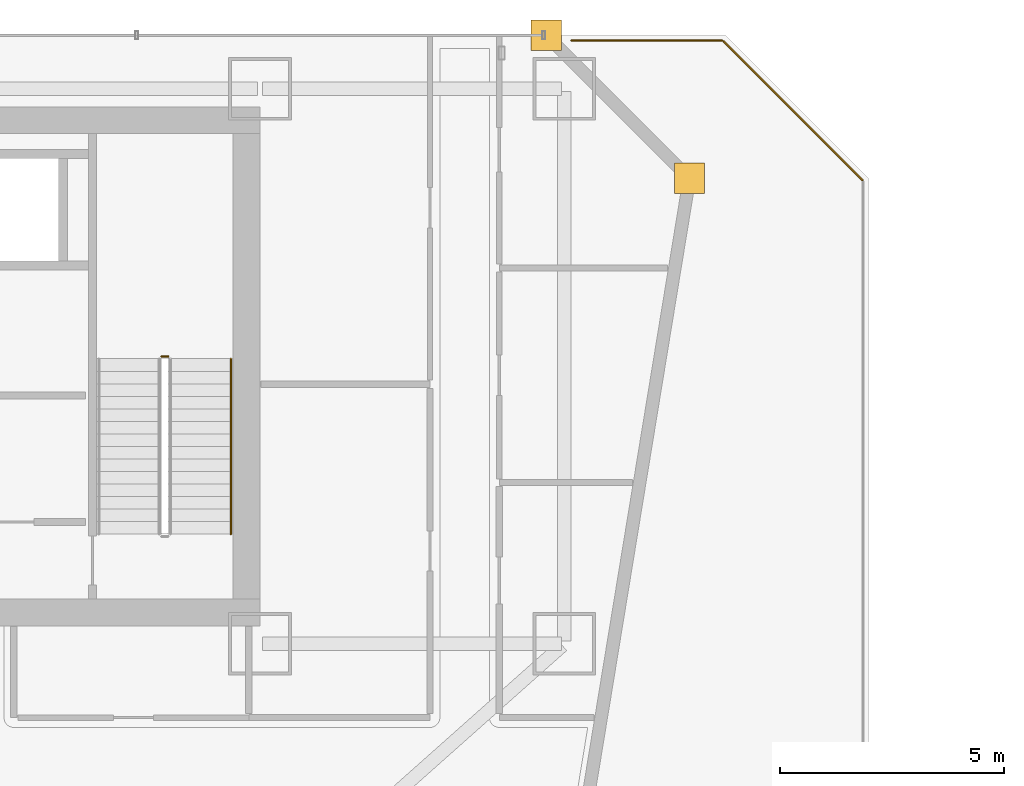
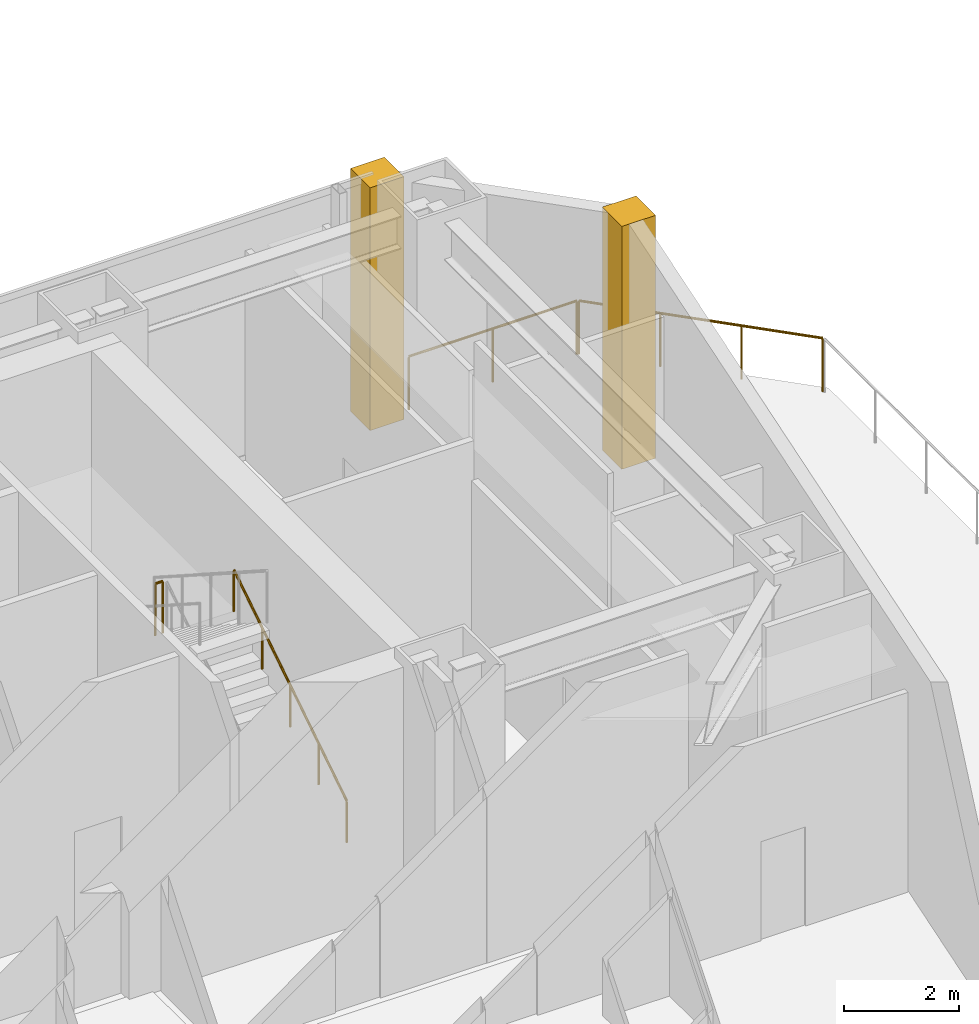
# One storey, part 29 of 29: 4 railings, 2 coverings.
"""IFC4 building model written with IfcOpenShell, lengths in metres."""

from ifc_helpers import new_model, si_unit, direction, frame, origin, origin_2d, place, context, subcontext, project, spatial, polyline, circle, outline, extrude, material, layer, layer_set, type_object, element, save


model = new_model("IFC4")

# Units and contexts
model_context = context("Model", 3, precision=1e-05, world=origin(), true_north=direction((0.0, 1.0)))
body_context = subcontext(model_context, "Body", "Model", "MODEL_VIEW")
ifc_project = project(units=[si_unit("LENGTHUNIT", "METRE"), si_unit("AREAUNIT", "SQUARE_METRE"), si_unit("VOLUMEUNIT", "CUBIC_METRE"), si_unit("PLANEANGLEUNIT", "RADIAN"), si_unit("MASSUNIT", "GRAM", prefix="KILO")], contexts=[model_context])

# Site, building, storey
site_placement = place(None, origin())
site = spatial("IfcSite", under=ifc_project, at=site_placement, CompositionType="ELEMENT")
building_placement = place(site_placement, origin())
building = spatial("IfcBuilding", under=site, at=building_placement, Name="Saevonmaru Cultural Tower", CompositionType="ELEMENT")
storey_placement = place(building_placement, frame((0.0, 0.0, 27.60009765625)))
storey = spatial("IfcBuildingStorey", under=building, at=storey_placement, Name="L05", CompositionType="ELEMENT", Elevation=27.60009765625)

# Coverings
ifc_material_1 = material(Name="Satin Bronze Anodised Aluminium", Category="aluminium")
ifc_layer = layer(ifc_material_1, 0.679931640625, Name="Satin Bronze Anodised Aluminium")
ifc_layer_set = layer_set([ifc_layer], Name="Satin Bronze Anodised Aluminium")
covering_type = type_object("IfcCoveringType", Name="CV-CORNER-CLAD", PredefinedType="CLADDING", material=ifc_layer_set)
covering_1_placement = place(storey_placement, origin())
element("IfcCovering", 1, at=covering_1_placement, inside=storey, type_object=covering_type, Name="L05 Tower Bronze Corner Cladding Pier 9", PredefinedType="CLADDING", context=body_context, shape_type="SweptSolid", body=[
    extrude(outline(polyline([(55.659912109375, 52.4599609375), (56.340087890625, 52.4599609375), (56.340087890625, 53.139892578125), (55.659912109375, 53.139892578125), (55.659912109375, 52.4599609375)])), origin(), (0.0, 0.0, 1.0), 5.14990234375),
])
covering_2_placement = place(storey_placement, origin())
element("IfcCovering", 2, at=covering_2_placement, inside=storey, type_object=covering_type, Name="L05 Tower Bronze Corner Cladding Pier 10", PredefinedType="CLADDING", context=body_context, shape_type="SweptSolid", body=[
    extrude(outline(polyline([(52.4599609375, 55.659912109375), (53.139892578125, 55.659912109375), (53.139892578125, 56.340087890625), (52.4599609375, 56.340087890625), (52.4599609375, 55.659912109375)])), origin(), (0.0, 0.0, 1.0), 5.14990234375),
])

# Railings
railing_type_1 = type_object("IfcRailingType", Name="RL-BALUSTRADE-1150", PredefinedType="BALUSTRADE", material=ifc_material_1)
railing_1_placement = place(storey_placement, frame((56.76416015625, 55.865966796875, 0.0)))
element("IfcRailing", 3, at=railing_1_placement, inside=storey, type_object=railing_type_1, Name="L05 Setback Terrace Balustrade 1-1", PredefinedType="BALUSTRADE", context=body_context, shape_type="SweptSolid", body=[
    extrude(circle(Radius=0.02392578125, at=origin_2d()), frame((0.0, 0.0, 1.1259765625), z_axis=(0.707106781187, -0.707106781187, 0.0), x_axis=(0.707106781187, 0.707106781187, 0.0)), (0.0, 0.0, 1.0), 4.38671875),
    extrude(circle(Radius=0.02099609375, at=origin_2d()), origin(), (0.0, 0.0, 1.0), 1.101806640625),
    extrude(circle(Radius=0.02099609375, at=origin_2d()), frame((1.033935546875, -1.033935546875, 0.0)), (0.0, 0.0, 1.0), 1.101806640625),
    extrude(circle(Radius=0.02099609375, at=origin_2d()), frame((2.06787109375, -2.06787109375, 0.0)), (0.0, 0.0, 1.0), 1.101806640625),
    extrude(circle(Radius=0.02099609375, at=origin_2d()), frame((3.101806640625, -3.101806640625, 0.0)), (0.0, 0.0, 1.0), 1.101806640625),
])
railing_2_placement = place(storey_placement, frame((53.364013671875, 55.8798828125, 0.0)))
element("IfcRailing", 4, at=railing_2_placement, inside=storey, type_object=railing_type_1, Name="L05 Setback Terrace Balustrade 1-9", PredefinedType="BALUSTRADE", context=body_context, shape_type="SweptSolid", body=[
    extrude(circle(Radius=0.02392578125, at=origin_2d()), frame((0.0, 0.0, 1.1259765625), z_axis=(1.0, 0.0, 0.0), x_axis=(0.0, 1.0, 0.0)), (0.0, 0.0, 1.0), 3.365966796875),
    extrude(circle(Radius=0.02099609375, at=origin_2d()), origin(), (0.0, 0.0, 1.0), 1.101806640625),
    extrude(circle(Radius=0.02099609375, at=origin_2d()), frame((1.68310546875, 0.0, 0.0)), (0.0, 0.0, 1.0), 1.101806640625),
    extrude(circle(Radius=0.02099609375, at=origin_2d()), frame((3.365966796875, 0.0, 0.0)), (0.0, 0.0, 1.0), 1.101806640625),
])
ifc_material_2 = material(Name="Architectural Painted Steel", Category="steel")
railing_type_2 = type_object("IfcRailingType", Name="RL-STAIR-GUARD", PredefinedType="GUARDRAIL", material=ifc_material_2)
railing_3_placement = place(storey_placement, frame((44.35009765625, 48.820068359375, 2.699951171875)))
element("IfcRailing", 5, at=railing_3_placement, inside=storey, type_object=railing_type_2, Name="L05 ST-2 stair guard 2", PredefinedType="GUARDRAIL", context=body_context, shape_type="SweptSolid", body=[
    extrude(circle(Radius=0.02392578125, at=origin_2d()), frame((0.0, 0.0, 1.09619140625), z_axis=(-1.0, 0.0, 0.0), x_axis=(0.0, -1.0, 0.0)), (0.0, 0.0, 1.0), 0.150146484375),
    extrude(circle(Radius=0.02099609375, at=origin_2d()), origin(), (0.0, 0.0, 1.0), 1.072021484375),
    extrude(circle(Radius=0.02099609375, at=origin_2d()), frame((-0.150146484375, 0.0, 0.0)), (0.0, 0.0, 1.0), 1.072021484375),
])
railing_type_3 = type_object("IfcRailingType", Name="RL-STAIR-HANDRAIL", PredefinedType="HANDRAIL", material=ifc_material_1)
railing_4_placement = place(storey_placement, frame((45.75, 44.85009765625, 0.179931640625)))
element("IfcRailing", 6, at=railing_4_placement, inside=storey, type_object=railing_type_3, Name="L05 ST-2 stair handrail 1", PredefinedType="HANDRAIL", context=body_context, shape_type="SweptSolid", body=[
    extrude(circle(Radius=0.02392578125, at=origin_2d()), frame((0.0, 0.0, 0.8759765625), z_axis=(0.0, 0.841171666519, 0.540768182723), x_axis=(-1.0, 0.0, 0.0)), (0.0, 0.0, 1.0), 4.66015625),
    extrude(circle(Radius=0.02099609375, at=origin_2d()), origin(), (0.0, 0.0, 1.0), 0.851806640625),
    extrude(circle(Radius=0.02099609375, at=origin_2d()), frame((0.0, 0.97998046875, 0.6298828125)), (0.0, 0.0, 1.0), 0.851806640625),
    extrude(circle(Radius=0.02099609375, at=origin_2d()), frame((0.0, 1.9599609375, 1.260009765625)), (0.0, 0.0, 1.0), 0.851806640625),
    extrude(circle(Radius=0.02099609375, at=origin_2d()), frame((0.0, 2.93994140625, 1.89013671875)), (0.0, 0.0, 1.0), 0.851806640625),
    extrude(circle(Radius=0.02099609375, at=origin_2d()), frame((0.0, 3.919921875, 2.52001953125)), (0.0, 0.0, 1.0), 0.851806640625),
])

save(model, "model.ifc")
